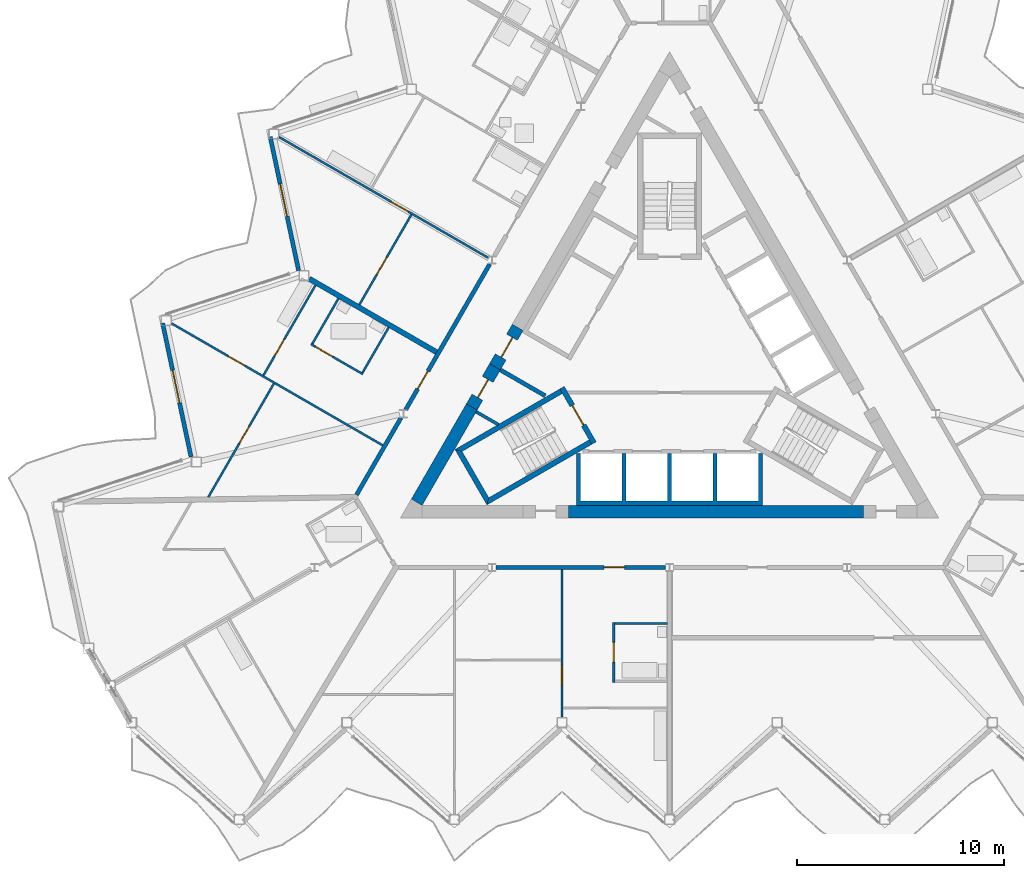
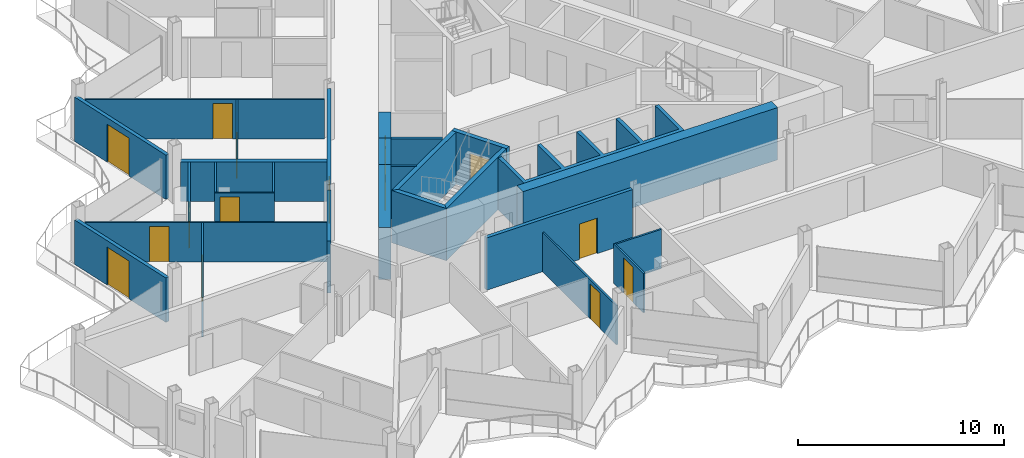
# One storey, part 13 of 26: 28 walls, 15 doors, 15 openings.
"""IFC4 building model written with IfcOpenShell, lengths in metres."""

from ifc_helpers import new_model, si_unit, direction, frame, frame_2d, origin, place, context, subcontext, project, spatial, polyline, rectangle, outline, extrude, material, layer, layer_set, type_object, element, fill, save


model = new_model("IFC4")

# Units and contexts
model_context = context("Model", 3, precision=1e-05, world=origin(), true_north=direction((0.0, 1.0)))
body_context = subcontext(model_context, "Body", "Model", "MODEL_VIEW")
ifc_project = project(units=[si_unit("LENGTHUNIT", "METRE"), si_unit("AREAUNIT", "SQUARE_METRE"), si_unit("VOLUMEUNIT", "CUBIC_METRE"), si_unit("PLANEANGLEUNIT", "RADIAN"), si_unit("MASSUNIT", "GRAM", prefix="KILO")], contexts=[model_context])

# Site, building, storey
site_placement = place(None, origin())
site = spatial("IfcSite", under=ifc_project, at=site_placement, CompositionType="ELEMENT")
building_placement = place(site_placement, origin())
building = spatial("IfcBuilding", under=site, at=building_placement, Name="Cormorant Prow Tower", CompositionType="ELEMENT")
storey_placement = place(building_placement, frame((0.0, 0.0, 381.39990234375)))
storey = spatial("IfcBuildingStorey", under=building, at=storey_placement, Name="L86", CompositionType="ELEMENT", Elevation=381.39990234375)

# Walls
ifc_material_1 = material(Name="Gypsum board partition")
ifc_layer_1 = layer(ifc_material_1, 0.14990234375)
ifc_layer_set_1 = layer_set([ifc_layer_1], Name="Gypsum board partition")
wall_type_1 = type_object("IfcWallType", Name="Core partition 150", PredefinedType="PARTITIONING", material=ifc_layer_set_1)
wall_1_placement = place(storey_placement, frame((-9.349609375, -2.3828125, 0.0), z_axis=(0.0, 0.0, 1.0), x_axis=(0.866057962423, -0.499943602543, 0.0)))
element("IfcWall", 1, at=wall_1_placement, inside=storey, type_object=wall_type_1, Name="Service room partition", PredefinedType="PARTITIONING", context=body_context, shape_type="SweptSolid", body=[
    extrude(rectangle(XDim=1.242431640625, YDim=0.14990234375, at=frame_2d((0.62109375, 0.0))), origin(), (0.0, 0.0, 1.0), 3.10009765625),
])
ifc_material_2 = material(Name="Concrete 8000 psi", Category="concrete")
ifc_layer_2 = layer(ifc_material_2, 0.60009765625)
ifc_layer_set_2 = layer_set([ifc_layer_2], Name="Concrete 8000 psi")
wall_type_2 = type_object("IfcWallType", Name="Core shear wall 600", PredefinedType="SHEAR", material=ifc_layer_set_2)
wall_2_placement = place(storey_placement, frame((-4.89208984375, -7.20556640625, 0.0), z_axis=(0.0, 0.0, 1.0), x_axis=(1.0, 0.0, 0.0)))
element("IfcWall", 2, at=wall_2_placement, inside=storey, type_object=wall_type_2, Name="Core wall", PredefinedType="SHEAR", context=body_context, shape_type="SweptSolid", body=[
    extrude(rectangle(XDim=14.2607421875, YDim=0.60009765625, at=frame_2d((7.13037109375, 0.0))), origin(), (0.0, 0.0, 1.0), 3.10009765625),
])
wall_3_placement = place(storey_placement, frame((-9.561767578125, -2.150390625, 0.0), z_axis=(0.0, 0.0, 1.0), x_axis=(-0.500015214976, -0.866016619236, 0.0)))
element("IfcWall", 3, at=wall_3_placement, inside=storey, type_object=wall_type_2, Name="Core wall", PredefinedType="SHEAR", context=body_context, shape_type="SweptSolid", body=[
    extrude(rectangle(XDim=5.317626953125, YDim=0.60009765625, at=frame_2d((2.65869140625, 0.0))), origin(), (0.0, 0.0, 1.0), 3.10009765625),
])

# Wall, opening, door
wall_4_placement = place(storey_placement, frame((-8.440185546875, -0.207763671875, 0.0), z_axis=(0.0, 0.0, 1.0), x_axis=(-0.500001951578, -0.866024277037, 0.0)))
wall_4 = element("IfcWall", 4, at=wall_4_placement, inside=storey, type_object=wall_type_2, Name="Core wall door panel", PredefinedType="SHEAR", context=body_context, shape_type="SweptSolid", body=[
    extrude(rectangle(XDim=2.2431640625, YDim=0.60009765625, at=frame_2d((1.12158203125, 0.0))), origin(), (0.0, 0.0, 1.0), 3.10009765625),
])
opening_1_placement = place(wall_4_placement, frame((0.699951171875, 0.0, 0.0)))
opening_1 = element("IfcOpeningElement", 5, at=opening_1_placement, cuts=wall_4, Name="Opening L86-C18", PredefinedType="OPENING", context=body_context, shape_type="SweptSolid", body=[
    extrude(rectangle(XDim=1.0, YDim=2.10009765625, at=frame_2d((0.5, 1.050048828125))), frame((0.0, 0.31005859375, 0.0), z_axis=(0.0, -1.0, 0.0), x_axis=(1.0, 0.0, 0.0)), (0.0, 0.0, 1.0), 0.6201171875),
])
ifc_material_3 = material(Name="Painted steel", Category="steel")
door_type_1 = type_object("IfcDoorType", Name="Service door 1000x2100", OperationType="NOTDEFINED", PredefinedType="DOOR", material=ifc_material_3)
door_1_placement = place(opening_1_placement, origin())
door_1 = element("IfcDoor", 6, at=door_1_placement, inside=storey, type_object=door_type_1, Name="Core door, Mechanical riser room", OperationType="SINGLE_SWING_RIGHT", OverallHeight=2.10009765625, OverallWidth=1.0, PredefinedType="DOOR", context=body_context, shape_type="SweptSolid", body=[
    extrude(rectangle(XDim=1.0, YDim=2.10009765625, at=frame_2d((0.5, 1.050048828125))), frame((0.0, 0.05517578125, 0.0), z_axis=(0.0, -1.0, 0.0), x_axis=(1.0, 0.0, 0.0)), (0.0, 0.0, 1.0), 0.050048828125),
])
fill(opening_1, door_1)

wall_5_placement = place(storey_placement, frame((-7.340087890625, 1.697509765625, 0.0), z_axis=(0.0, 0.0, 1.0), x_axis=(-0.50002983664, -0.866008176907, 0.0)))
wall_5 = element("IfcWall", 7, at=wall_5_placement, inside=storey, type_object=wall_type_2, Name="Core wall door panel", PredefinedType="SHEAR", context=body_context, shape_type="SweptSolid", body=[
    extrude(rectangle(XDim=2.199951171875, YDim=0.60009765625, at=frame_2d((1.10009765625, 0.0))), origin(), (0.0, 0.0, 1.0), 3.10009765625),
])
opening_2_placement = place(wall_5_placement, frame((0.550048828125, 0.0, 0.0)))
opening_2 = element("IfcOpeningElement", 8, at=opening_2_placement, cuts=wall_5, Name="Opening L86-C21", PredefinedType="OPENING", context=body_context, shape_type="SweptSolid", body=[
    extrude(rectangle(XDim=1.10009765625, YDim=2.10009765625, at=frame_2d((0.550048828125, 1.050048828125))), frame((0.0, 0.31005859375, 0.0), z_axis=(0.0, -1.0, 0.0), x_axis=(1.0, 0.0, 0.0)), (0.0, 0.0, 1.0), 0.6201171875),
])
ifc_material_4 = material(Name="Painted steel", Category="steel")
door_type_2 = type_object("IfcDoorType", Name="Core door 1100x2100", OperationType="NOTDEFINED", PredefinedType="DOOR", material=ifc_material_4)
door_2_placement = place(opening_2_placement, origin())
door_2 = element("IfcDoor", 9, at=door_2_placement, inside=storey, type_object=door_type_2, Name="Core door, lift lobby", OperationType="SINGLE_SWING_RIGHT", OverallHeight=2.10009765625, OverallWidth=1.10009765625, PredefinedType="DOOR", context=body_context, shape_type="SweptSolid", body=[
    extrude(rectangle(XDim=1.10009765625, YDim=2.10009765625, at=frame_2d((0.550048828125, 1.050048828125))), frame((0.0, 0.05517578125, 0.0), z_axis=(0.0, -1.0, 0.0), x_axis=(1.0, 0.0, 0.0)), (0.0, 0.0, 1.0), 0.050048828125),
])
fill(opening_2, door_2)

ifc_material_5 = material(Name="Gypsum board corridor wall")
ifc_layer_3 = layer(ifc_material_5, 0.199951171875)
ifc_layer_set_3 = layer_set([ifc_layer_3], Name="Gypsum board corridor wall")
wall_type_3 = type_object("IfcWallType", Name="Corridor wall 200", PredefinedType="PARTITIONING", material=ifc_layer_set_3)
wall_6_placement = place(storey_placement, frame((-8.381591796875, -9.905517578125, 0.0), z_axis=(0.0, 0.0, 1.0), x_axis=(1.0, 0.0, 0.0)))
wall_6 = element("IfcWall", 10, at=wall_6_placement, inside=storey, type_object=wall_type_3, Name="Corridor wall", PredefinedType="PARTITIONING", context=body_context, shape_type="SweptSolid", body=[
    extrude(rectangle(XDim=8.1845703125, YDim=0.199951171875, at=frame_2d((4.09228515625, 0.0))), origin(), (0.0, 0.0, 1.0), 3.10009765625),
])
opening_3_placement = place(wall_6_placement, frame((5.212646484375, 0.0, 0.0)))
opening_3 = element("IfcOpeningElement", 11, at=opening_3_placement, cuts=wall_6, Name="Opening L86-F01", PredefinedType="OPENING", context=body_context, shape_type="SweptSolid", body=[
    extrude(rectangle(XDim=1.0, YDim=2.10009765625, at=frame_2d((0.5, 1.050048828125))), frame((0.0, 0.10986328125, 0.0), z_axis=(0.0, -1.0, 0.0), x_axis=(1.0, 0.0, 0.0)), (0.0, 0.0, 1.0), 0.219970703125),
])
ifc_material_6 = material(Name="Timber door leaf", Category="wood")
door_type_3 = type_object("IfcDoorType", Name="Flat or room entrance door 1000x2100", OperationType="NOTDEFINED", PredefinedType="DOOR", material=ifc_material_6)
door_3_placement = place(opening_3_placement, origin())
door_3 = element("IfcDoor", 12, at=door_3_placement, inside=storey, type_object=door_type_3, Name="Living room door", OperationType="SINGLE_SWING_LEFT", OverallHeight=2.10009765625, OverallWidth=1.0, PredefinedType="DOOR", context=body_context, shape_type="SweptSolid", body=[
    extrude(rectangle(XDim=1.0, YDim=2.10009765625, at=frame_2d((0.5, 1.050048828125))), frame((0.0, 0.02490234375, 0.0), z_axis=(0.0, -1.0, 0.0), x_axis=(1.0, 0.0, 0.0)), (0.0, 0.0, 1.0), 0.050048828125),
])
fill(opening_3, door_3)

wall_7_placement = place(storey_placement, frame((-12.75390625, -2.279296875, 0.0), z_axis=(0.0, 0.0, 1.0), x_axis=(0.500001682468, 0.866024432409, 0.0)))
wall_7 = element("IfcWall", 13, at=wall_7_placement, inside=storey, type_object=wall_type_3, Name="Corridor wall", PredefinedType="PARTITIONING", context=body_context, shape_type="SweptSolid", body=[
    extrude(rectangle(XDim=8.12353515625, YDim=0.199951171875, at=frame_2d((4.061767578125, 0.0))), origin(), (0.0, 0.0, 1.0), 3.10009765625),
])
opening_4_placement = place(wall_7_placement, frame((1.1533203125, 0.0, 0.0)))
opening_4 = element("IfcOpeningElement", 14, at=opening_4_placement, cuts=wall_7, Name="Opening L86-F41", PredefinedType="OPENING", context=body_context, shape_type="SweptSolid", body=[
    extrude(rectangle(XDim=1.0, YDim=2.10009765625, at=frame_2d((0.5, 1.050048828125))), frame((0.0, 0.10986328125, 0.0), z_axis=(0.0, -1.0, 0.0), x_axis=(1.0, 0.0, 0.0)), (0.0, 0.0, 1.0), 0.219970703125),
])
door_4_placement = place(opening_4_placement, origin())
door_4 = element("IfcDoor", 15, at=door_4_placement, inside=storey, type_object=door_type_3, Name="Living room door", OperationType="SINGLE_SWING_RIGHT", OverallHeight=2.10009765625, OverallWidth=1.0, PredefinedType="DOOR", context=body_context, shape_type="SweptSolid", body=[
    extrude(rectangle(XDim=1.0, YDim=2.10009765625, at=frame_2d((0.5, 1.050048828125))), frame((0.0, 0.02490234375, 0.0), z_axis=(0.0, -1.0, 0.0), x_axis=(1.0, 0.0, 0.0)), (0.0, 0.0, 1.0), 0.050048828125),
])
fill(opening_4, door_4)

# Wall
wall_8_placement = place(storey_placement, frame((-15.13134765625, -6.397216796875, 0.0), z_axis=(0.0, 0.0, 1.0), x_axis=(0.499986217557, 0.866033360935, 0.0)))
element("IfcWall", 16, at=wall_8_placement, inside=storey, type_object=wall_type_3, Name="Corridor wall", PredefinedType="PARTITIONING", context=body_context, shape_type="SweptSolid", body=[
    extrude(rectangle(XDim=4.2998046875, YDim=0.199951171875, at=frame_2d((2.14990234375, 0.0))), origin(), (0.0, 0.0, 1.0), 3.10009765625),
])

# Wall, opening, door
ifc_material_7 = material(Name="Gypsum board partition")
ifc_layer_4 = layer(ifc_material_7, 0.10009765625)
ifc_layer_set_4 = layer_set([ifc_layer_4], Name="Gypsum board partition")
wall_type_4 = type_object("IfcWallType", Name="Internal partition 100", PredefinedType="PARTITIONING", material=ifc_layer_set_4)
wall_9_placement = place(storey_placement, frame((-24.068603515625, 1.88720703125, 0.0), z_axis=(0.0, 0.0, 1.0), x_axis=(0.866023404247, -0.500003463284, 0.0)))
wall_9 = element("IfcWall", 17, at=wall_9_placement, inside=storey, type_object=wall_type_4, Name="Internal partition", PredefinedType="PARTITIONING", context=body_context, shape_type="SweptSolid", body=[
    extrude(rectangle(XDim=11.7822265625, YDim=0.10009765625, at=frame_2d((5.89111328125, 0.0))), origin(), (0.0, 0.0, 1.0), 2.330078125),
])
opening_5_placement = place(wall_9_placement, frame((3.158935546875, 0.0, 0.0)))
opening_5 = element("IfcOpeningElement", 18, at=opening_5_placement, cuts=wall_9, Name="Opening L86-F44", PredefinedType="OPENING", context=body_context, shape_type="SweptSolid", body=[
    extrude(rectangle(XDim=0.949951171875, YDim=2.10009765625, at=frame_2d((0.47509765625, 1.050048828125))), frame((0.0, 0.06005859375, 0.0), z_axis=(0.0, -1.0, 0.0), x_axis=(1.0, 0.0, 0.0)), (0.0, 0.0, 1.0), 0.1201171875),
])
ifc_material_8 = material(Name="Timber door leaf", Category="wood")
door_type_4 = type_object("IfcDoorType", Name="Bathroom door 950x2100", OperationType="NOTDEFINED", PredefinedType="DOOR", material=ifc_material_8)
door_5_placement = place(opening_5_placement, origin())
door_5 = element("IfcDoor", 19, at=door_5_placement, inside=storey, type_object=door_type_4, Name="Kitchen door", OperationType="SINGLE_SWING_RIGHT", OverallHeight=2.10009765625, OverallWidth=0.949951171875, PredefinedType="DOOR", context=body_context, shape_type="SweptSolid", body=[
    extrude(rectangle(XDim=0.949951171875, YDim=2.10009765625, at=frame_2d((0.47509765625, 1.050048828125))), frame((0.0, 0.02490234375, 0.0), z_axis=(0.0, -1.0, 0.0), x_axis=(1.0, 0.0, 0.0)), (0.0, 0.0, 1.0), 0.050048828125),
])
fill(opening_5, door_5)

wall_10_placement = place(storey_placement, frame((-18.86865234375, 10.893798828125, 0.0), z_axis=(0.0, 0.0, 1.0), x_axis=(0.866023724155, -0.500002909193, 0.0)))
wall_10 = element("IfcWall", 20, at=wall_10_placement, inside=storey, type_object=wall_type_4, Name="Internal partition", PredefinedType="PARTITIONING", context=body_context, shape_type="SweptSolid", body=[
    extrude(rectangle(XDim=11.65478515625, YDim=0.10009765625, at=frame_2d((5.827392578125, 0.0))), origin(), (0.0, 0.0, 1.0), 2.330078125),
])
opening_6_placement = place(wall_10_placement, frame((6.252685546875, 0.0, 0.0)))
opening_6 = element("IfcOpeningElement", 21, at=opening_6_placement, cuts=wall_10, Name="Opening L86-F38", PredefinedType="OPENING", context=body_context, shape_type="SweptSolid", body=[
    extrude(rectangle(XDim=0.949951171875, YDim=2.10009765625, at=frame_2d((0.47509765625, 1.050048828125))), frame((0.0, 0.06005859375, 0.0), z_axis=(0.0, -1.0, 0.0), x_axis=(1.0, 0.0, 0.0)), (0.0, 0.0, 1.0), 0.1201171875),
])
door_6_placement = place(opening_6_placement, origin())
door_6 = element("IfcDoor", 22, at=door_6_placement, inside=storey, type_object=door_type_4, Name="Living room door", OperationType="SINGLE_SWING_RIGHT", OverallHeight=2.10009765625, OverallWidth=0.949951171875, PredefinedType="DOOR", context=body_context, shape_type="SweptSolid", body=[
    extrude(rectangle(XDim=0.949951171875, YDim=2.10009765625, at=frame_2d((0.47509765625, 1.050048828125))), frame((0.0, 0.02490234375, 0.0), z_axis=(0.0, -1.0, 0.0), x_axis=(1.0, 0.0, 0.0)), (0.0, 0.0, 1.0), 0.050048828125),
])
fill(opening_6, door_6)

wall_11_placement = place(storey_placement, frame((-5.199951171875, -17.145751953125, 0.0), z_axis=(0.0, 0.0, 1.0), x_axis=(0.0, 1.0, 0.0)))
wall_11 = element("IfcWall", 23, at=wall_11_placement, inside=storey, type_object=wall_type_4, Name="Internal partition", PredefinedType="PARTITIONING", context=body_context, shape_type="SweptSolid", body=[
    extrude(rectangle(XDim=7.14013671875, YDim=0.10009765625, at=frame_2d((3.570068359375, 0.0))), origin(), (0.0, 0.0, 1.0), 2.330078125),
])
opening_7_placement = place(wall_11_placement, frame((1.571044921875, 0.0, 0.0)))
opening_7 = element("IfcOpeningElement", 24, at=opening_7_placement, cuts=wall_11, Name="Opening L86-F04", PredefinedType="OPENING", context=body_context, shape_type="SweptSolid", body=[
    extrude(rectangle(XDim=0.949951171875, YDim=2.10009765625, at=frame_2d((0.47509765625, 1.050048828125))), frame((0.0, 0.06005859375, 0.0), z_axis=(0.0, -1.0, 0.0), x_axis=(1.0, 0.0, 0.0)), (0.0, 0.0, 1.0), 0.1201171875),
])
door_7_placement = place(opening_7_placement, origin())
door_7 = element("IfcDoor", 25, at=door_7_placement, inside=storey, type_object=door_type_4, Name="Living room door", OperationType="SINGLE_SWING_RIGHT", OverallHeight=2.10009765625, OverallWidth=0.949951171875, PredefinedType="DOOR", context=body_context, shape_type="SweptSolid", body=[
    extrude(rectangle(XDim=0.949951171875, YDim=2.10009765625, at=frame_2d((0.47509765625, 1.050048828125))), frame((0.0, 0.02490234375, 0.0), z_axis=(0.0, -1.0, 0.0), x_axis=(1.0, 0.0, 0.0)), (0.0, 0.0, 1.0), 0.050048828125),
])
fill(opening_7, door_7)

wall_12_placement = place(storey_placement, frame((-22.2978515625, -6.512451171875, 0.0), z_axis=(0.0, 0.0, 1.0), x_axis=(0.499991387631, 0.866030376081, 0.0)))
wall_12 = element("IfcWall", 26, at=wall_12_placement, inside=storey, type_object=wall_type_4, Name="Internal partition", PredefinedType="PARTITIONING", context=body_context, shape_type="SweptSolid", body=[
    extrude(rectangle(XDim=6.3388671875, YDim=0.10009765625, at=frame_2d((3.16943359375, 0.0))), origin(), (0.0, 0.0, 1.0), 2.330078125),
])
opening_8_placement = place(wall_12_placement, frame((3.0, 0.0, 0.0)))
opening_8 = element("IfcOpeningElement", 27, at=opening_8_placement, cuts=wall_12, Name="Opening L86-F45", PredefinedType="OPENING", context=body_context, shape_type="SweptSolid", body=[
    extrude(rectangle(XDim=0.949951171875, YDim=2.10009765625, at=frame_2d((0.47509765625, 1.050048828125))), frame((0.0, 0.06005859375, 0.0), z_axis=(0.0, -1.0, 0.0), x_axis=(1.0, 0.0, 0.0)), (0.0, 0.0, 1.0), 0.1201171875),
])
door_8_placement = place(opening_8_placement, origin())
door_8 = element("IfcDoor", 28, at=door_8_placement, inside=storey, type_object=door_type_4, Name="Bedroom door", OperationType="SINGLE_SWING_LEFT", OverallHeight=2.10009765625, OverallWidth=0.949951171875, PredefinedType="DOOR", context=body_context, shape_type="SweptSolid", body=[
    extrude(rectangle(XDim=0.949951171875, YDim=2.10009765625, at=frame_2d((0.47509765625, 1.050048828125))), frame((0.0, 0.02490234375, 0.0), z_axis=(0.0, -1.0, 0.0), x_axis=(1.0, 0.0, 0.0)), (0.0, 0.0, 1.0), 0.050048828125),
])
fill(opening_8, door_8)

wall_13_placement = place(storey_placement, frame((-19.628173828125, -0.618896484375, 0.0), z_axis=(0.0, 0.0, 1.0), x_axis=(0.499990214365, 0.86603105345, 0.0)))
wall_13 = element("IfcWall", 29, at=wall_13_placement, inside=storey, type_object=wall_type_4, Name="Internal partition", PredefinedType="PARTITIONING", context=body_context, shape_type="SweptSolid", body=[
    extrude(rectangle(XDim=5.02490234375, YDim=0.10009765625, at=frame_2d((2.512451171875, 0.0))), origin(), (0.0, 0.0, 1.0), 2.330078125),
])
opening_9_placement = place(wall_13_placement, frame((1.067138671875, 0.0, 0.0)))
opening_9 = element("IfcOpeningElement", 30, at=opening_9_placement, cuts=wall_13, Name="Opening L86-F43", PredefinedType="OPENING", context=body_context, shape_type="SweptSolid", body=[
    extrude(rectangle(XDim=0.949951171875, YDim=2.10009765625, at=frame_2d((0.47509765625, 1.050048828125))), frame((0.0, 0.06005859375, 0.0), z_axis=(0.0, -1.0, 0.0), x_axis=(1.0, 0.0, 0.0)), (0.0, 0.0, 1.0), 0.1201171875),
])
door_9_placement = place(opening_9_placement, origin())
door_9 = element("IfcDoor", 31, at=door_9_placement, inside=storey, type_object=door_type_4, Name="Living room door", OperationType="SINGLE_SWING_LEFT", OverallHeight=2.10009765625, OverallWidth=0.949951171875, PredefinedType="DOOR", context=body_context, shape_type="SweptSolid", body=[
    extrude(rectangle(XDim=0.949951171875, YDim=2.10009765625, at=frame_2d((0.47509765625, 1.050048828125))), frame((0.0, 0.02490234375, 0.0), z_axis=(0.0, -1.0, 0.0), x_axis=(1.0, 0.0, 0.0)), (0.0, 0.0, 1.0), 0.050048828125),
])
fill(opening_9, door_9)

wall_14_placement = place(storey_placement, frame((-14.9921875, 2.795654296875, 0.0), z_axis=(0.0, 0.0, 1.0), x_axis=(0.499990214365, 0.86603105345, 0.0)))
wall_14 = element("IfcWall", 32, at=wall_14_placement, inside=storey, type_object=wall_type_4, Name="Internal partition", PredefinedType="PARTITIONING", context=body_context, shape_type="SweptSolid", body=[
    extrude(rectangle(XDim=5.02490234375, YDim=0.10009765625, at=frame_2d((2.512451171875, 0.0))), origin(), (0.0, 0.0, 1.0), 2.330078125),
])
opening_10_placement = place(wall_14_placement, frame((1.679931640625, 0.0, 0.0)))
opening_10 = element("IfcOpeningElement", 33, at=opening_10_placement, cuts=wall_14, Name="Opening L86-F39", PredefinedType="OPENING", context=body_context, shape_type="SweptSolid", body=[
    extrude(rectangle(XDim=0.949951171875, YDim=2.10009765625, at=frame_2d((0.47509765625, 1.050048828125))), frame((0.0, 0.06005859375, 0.0), z_axis=(0.0, -1.0, 0.0), x_axis=(1.0, 0.0, 0.0)), (0.0, 0.0, 1.0), 0.1201171875),
])
door_10_placement = place(opening_10_placement, origin())
door_10 = element("IfcDoor", 34, at=door_10_placement, inside=storey, type_object=door_type_4, Name="Bedroom door", OperationType="SINGLE_SWING_LEFT", OverallHeight=2.10009765625, OverallWidth=0.949951171875, PredefinedType="DOOR", context=body_context, shape_type="SweptSolid", body=[
    extrude(rectangle(XDim=0.949951171875, YDim=2.10009765625, at=frame_2d((0.47509765625, 1.050048828125))), frame((0.0, 0.02490234375, 0.0), z_axis=(0.0, -1.0, 0.0), x_axis=(1.0, 0.0, 0.0)), (0.0, 0.0, 1.0), 0.050048828125),
])
fill(opening_10, door_10)

wall_15_placement = place(storey_placement, frame((-17.3349609375, 0.88623046875, 0.0), z_axis=(0.0, 0.0, 1.0), x_axis=(0.866032775405, -0.499987231761, 0.0)))
wall_15 = element("IfcWall", 35, at=wall_15_placement, inside=storey, type_object=wall_type_4, Name="Internal partition", PredefinedType="PARTITIONING", context=body_context, shape_type="SweptSolid", body=[
    extrude(rectangle(XDim=2.89990234375, YDim=0.10009765625, at=frame_2d((1.449951171875, 0.0))), origin(), (0.0, 0.0, 1.0), 2.330078125),
])
opening_11_placement = place(wall_15_placement, frame((0.25, 0.0, 0.0)))
opening_11 = element("IfcOpeningElement", 36, at=opening_11_placement, cuts=wall_15, Name="Opening L86-F42", PredefinedType="OPENING", context=body_context, shape_type="SweptSolid", body=[
    extrude(rectangle(XDim=0.949951171875, YDim=2.10009765625, at=frame_2d((0.47509765625, 1.050048828125))), frame((0.0, 0.06005859375, 0.0), z_axis=(0.0, -1.0, 0.0), x_axis=(1.0, 0.0, 0.0)), (0.0, 0.0, 1.0), 0.1201171875),
])
door_11_placement = place(opening_11_placement, origin())
door_11 = element("IfcDoor", 37, at=door_11_placement, inside=storey, type_object=door_type_4, Name="Living room door", OperationType="SINGLE_SWING_LEFT", OverallHeight=2.10009765625, OverallWidth=0.949951171875, PredefinedType="DOOR", context=body_context, shape_type="SweptSolid", body=[
    extrude(rectangle(XDim=0.949951171875, YDim=2.10009765625, at=frame_2d((0.47509765625, 1.050048828125))), frame((0.0, 0.02490234375, 0.0), z_axis=(0.0, -1.0, 0.0), x_axis=(1.0, 0.0, 0.0)), (0.0, 0.0, 1.0), 0.050048828125),
])
fill(opening_11, door_11)

wall_16_placement = place(storey_placement, frame((-2.699951171875, -15.45556640625, 0.0), z_axis=(0.0, 0.0, 1.0), x_axis=(0.0, 1.0, 0.0)))
wall_16 = element("IfcWall", 38, at=wall_16_placement, inside=storey, type_object=wall_type_4, Name="Internal partition", PredefinedType="PARTITIONING", context=body_context, shape_type="SweptSolid", body=[
    extrude(rectangle(XDim=2.89990234375, YDim=0.10009765625, at=frame_2d((1.449951171875, 0.0))), origin(), (0.0, 0.0, 1.0), 2.330078125),
])
opening_12_placement = place(wall_16_placement, frame((0.97509765625, 0.0, 0.0)))
opening_12 = element("IfcOpeningElement", 39, at=opening_12_placement, cuts=wall_16, Name="Opening L86-F02", PredefinedType="OPENING", context=body_context, shape_type="SweptSolid", body=[
    extrude(rectangle(XDim=0.949951171875, YDim=2.10009765625, at=frame_2d((0.47509765625, 1.050048828125))), frame((0.0, 0.06005859375, 0.0), z_axis=(0.0, -1.0, 0.0), x_axis=(1.0, 0.0, 0.0)), (0.0, 0.0, 1.0), 0.1201171875),
])
door_12_placement = place(opening_12_placement, origin())
door_12 = element("IfcDoor", 40, at=door_12_placement, inside=storey, type_object=door_type_4, Name="Living room door", OperationType="SINGLE_SWING_LEFT", OverallHeight=2.10009765625, OverallWidth=0.949951171875, PredefinedType="DOOR", context=body_context, shape_type="SweptSolid", body=[
    extrude(rectangle(XDim=0.949951171875, YDim=2.10009765625, at=frame_2d((0.47509765625, 1.050048828125))), frame((0.0, 0.02490234375, 0.0), z_axis=(0.0, -1.0, 0.0), x_axis=(1.0, 0.0, 0.0)), (0.0, 0.0, 1.0), 0.050048828125),
])
fill(opening_12, door_12)

# Walls
wall_17_placement = place(storey_placement, frame((-2.64990234375, -12.605712890625, 0.0), z_axis=(0.0, 0.0, 1.0), x_axis=(1.0, 0.0, 0.0)))
element("IfcWall", 41, at=wall_17_placement, inside=storey, type_object=wall_type_4, Name="Internal partition", PredefinedType="PARTITIONING", context=body_context, shape_type="SweptSolid", body=[
    extrude(rectangle(XDim=2.5498046875, YDim=0.10009765625, at=frame_2d((1.27490234375, 0.0))), origin(), (0.0, 0.0, 1.0), 2.330078125),
])
wall_18_placement = place(storey_placement, frame((-17.2666015625, 0.904541015625, 0.0), z_axis=(0.0, 0.0, 1.0), x_axis=(0.499976333282, 0.866039067339, 0.0)))
element("IfcWall", 42, at=wall_18_placement, inside=storey, type_object=wall_type_4, Name="Internal partition", PredefinedType="PARTITIONING", context=body_context, shape_type="SweptSolid", body=[
    extrude(rectangle(XDim=2.52490234375, YDim=0.10009765625, at=frame_2d((1.262451171875, 0.0))), origin(), (0.0, 0.0, 1.0), 2.330078125),
])
wall_19_placement = place(storey_placement, frame((-14.841796875, -0.49560546875, 0.0), z_axis=(0.0, 0.0, 1.0), x_axis=(0.500048846702, 0.865997200291, 0.0)))
element("IfcWall", 43, at=wall_19_placement, inside=storey, type_object=wall_type_4, Name="Internal partition", PredefinedType="PARTITIONING", context=body_context, shape_type="SweptSolid", body=[
    extrude(rectangle(XDim=2.525146484375, YDim=0.10009765625, at=frame_2d((1.2626953125, 0.0))), origin(), (0.0, 0.0, 1.0), 2.330078125),
])
ifc_material_9 = material(Name="Concrete 8000 psi", Category="concrete")
ifc_layer_5 = layer(ifc_material_9, 0.199951171875)
ifc_layer_set_5 = layer_set([ifc_layer_5], Name="Concrete 8000 psi")
wall_type_5 = type_object("IfcWallType", Name="Lift shaft wall 200", PredefinedType="SHEAR", material=ifc_layer_set_5)
wall_20_placement = place(storey_placement, origin())
element("IfcWall", 44, at=wall_20_placement, inside=storey, type_object=wall_type_5, Name="Lift shaft walls, S block", PredefinedType="SHEAR", context=body_context, shape_type="SweptSolid", body=[
    extrude(outline(polyline([(4.5, -4.39990234375), (4.5, -6.906005859375), (-4.5, -6.906005859375), (-4.5, -4.39990234375), (-4.300048828125, -4.39990234375), (-4.300048828125, -6.699951171875), (-2.300048828125, -6.699951171875), (-2.300048828125, -4.39990234375), (-2.10009765625, -4.39990234375), (-2.10009765625, -6.699951171875), (-0.10009765625, -6.699951171875), (-0.10009765625, -4.39990234375), (0.10009765625, -4.39990234375), (0.10009765625, -6.699951171875), (2.10009765625, -6.699951171875), (2.10009765625, -4.39990234375), (2.300048828125, -4.39990234375), (2.300048828125, -6.699951171875), (4.300048828125, -6.699951171875), (4.300048828125, -4.39990234375), (4.5, -4.39990234375)])), origin(), (0.0, 0.0, 1.0), 3.10009765625),
])
wall_21_placement = place(storey_placement, origin())
element("IfcWall", 45, at=wall_21_placement, inside=storey, type_object=wall_type_5, Name="Lift shaft walls, WNW block", PredefinedType="SHEAR", context=body_context, shape_type="SweptSolid", body=[
    extrude(outline(polyline([(-6.060546875, -1.697021484375), (-8.230712890625, -0.444091796875), (-8.130859375, -0.27099609375), (-5.96044921875, -1.52392578125), (-6.060546875, -1.697021484375)])), origin(), (0.0, 0.0, 1.0), 3.10009765625),
])
ifc_material_10 = material(Name="Concrete 8000 psi", Category="concrete")
ifc_layer_6 = layer(ifc_material_10, 0.25)
ifc_layer_set_6 = layer_set([ifc_layer_6], Name="Concrete 8000 psi")
wall_type_6 = type_object("IfcWallType", Name="Stair wall 250", PredefinedType="SHEAR", material=ifc_layer_set_6)
wall_22_placement = place(storey_placement, origin())
element("IfcWall", 46, at=wall_22_placement, inside=storey, type_object=wall_type_6, Name="Stair ST1 enclosure wall (flank)", PredefinedType="SHEAR", context=body_context, shape_type="SweptSolid", body=[
    extrude(outline(polyline([(-5.30712890625, -1.28125), (-10.37353515625, -4.206298828125), (-10.031982421875, -4.2978515625), (-5.18212890625, -1.497802734375), (-5.30712890625, -1.28125)])), origin(), (0.0, 0.0, 1.0), 3.10009765625),
])
wall_23_placement = place(storey_placement, origin())
element("IfcWall", 47, at=wall_23_placement, inside=storey, type_object=wall_type_6, Name="Stair ST1 enclosure wall (end)", PredefinedType="SHEAR", context=body_context, shape_type="SweptSolid", body=[
    extrude(outline(polyline([(-10.37353515625, -4.206298828125), (-8.82958984375, -6.880615234375), (-8.738037109375, -6.5390625), (-10.031982421875, -4.2978515625), (-10.37353515625, -4.206298828125)])), origin(), (0.0, 0.0, 1.0), 3.10009765625),
])
wall_24_placement = place(storey_placement, origin())
element("IfcWall", 48, at=wall_24_placement, inside=storey, type_object=wall_type_6, Name="Stair ST1 enclosure wall (flank)", PredefinedType="SHEAR", context=body_context, shape_type="SweptSolid", body=[
    extrude(outline(polyline([(-8.738037109375, -6.5390625), (-8.82958984375, -6.880615234375), (-3.76318359375, -3.95556640625), (-3.88818359375, -3.739013671875), (-8.738037109375, -6.5390625)])), origin(), (0.0, 0.0, 1.0), 3.10009765625),
])

# Wall, opening, door
wall_25_placement = place(storey_placement, frame((-5.198974609375, -1.21875, 0.0), z_axis=(0.0, 0.0, 1.0), x_axis=(0.499982516597, -0.866035497597, 0.0)))
wall_25 = element("IfcWall", 49, at=wall_25_placement, inside=storey, type_object=wall_type_6, Name="Stair ST1 door wall", PredefinedType="SHEAR", context=body_context, shape_type="SweptSolid", body=[
    extrude(rectangle(XDim=3.087890625, YDim=0.25, at=frame_2d((1.5439453125, 0.0))), origin(), (0.0, 0.0, 1.0), 3.10009765625),
])
opening_13_placement = place(wall_25_placement, frame((0.993896484375, 0.0, 0.0)))
opening_13 = element("IfcOpeningElement", 50, at=opening_13_placement, cuts=wall_25, Name="Opening L86-C12", PredefinedType="OPENING", context=body_context, shape_type="SweptSolid", body=[
    extrude(rectangle(XDim=1.10009765625, YDim=2.10009765625, at=frame_2d((0.550048828125, 1.050048828125))), frame((0.0, 0.135009765625, 0.0), z_axis=(0.0, -1.0, 0.0), x_axis=(1.0, 0.0, 0.0)), (0.0, 0.0, 1.0), 0.27001953125),
])
ifc_material_11 = material(Name="Painted steel", Category="steel")
door_type_5 = type_object("IfcDoorType", Name="Stair door 1100x2100", OperationType="NOTDEFINED", PredefinedType="DOOR", material=ifc_material_11)
door_13_placement = place(opening_13_placement, origin())
door_13 = element("IfcDoor", 51, at=door_13_placement, inside=storey, type_object=door_type_5, Name="Stair ST1 door", OperationType="SINGLE_SWING_LEFT", OverallHeight=2.10009765625, OverallWidth=1.10009765625, PredefinedType="DOOR", context=body_context, shape_type="SweptSolid", body=[
    extrude(rectangle(XDim=1.10009765625, YDim=2.10009765625, at=frame_2d((0.550048828125, 1.050048828125))), frame((0.0, 0.02490234375, 0.0), z_axis=(0.0, -1.0, 0.0), x_axis=(1.0, 0.0, 0.0)), (0.0, 0.0, 1.0), 0.050048828125),
])
fill(opening_13, door_13)

# Wall
ifc_material_12 = material(Name="Acoustic gypsum party wall")
ifc_layer_7 = layer(ifc_material_12, 0.25)
ifc_layer_set_7 = layer_set([ifc_layer_7], Name="Acoustic gypsum party wall")
wall_type_7 = type_object("IfcWallType", Name="Suite party wall 250", PredefinedType="PARTITIONING", material=ifc_layer_set_7)
wall_26_placement = place(storey_placement, frame((-17.413818359375, 4.04931640625, 0.0), z_axis=(0.0, 0.0, 1.0), x_axis=(0.866033839264, -0.499985389037, 0.0)))
element("IfcWall", 52, at=wall_26_placement, inside=storey, type_object=wall_type_7, Name="Suite party wall", PredefinedType="PARTITIONING", context=body_context, shape_type="SweptSolid", body=[
    extrude(rectangle(XDim=7.099853515625, YDim=0.25, at=frame_2d((3.5498046875, 0.0))), origin(), (0.0, 0.0, 1.0), 2.330078125),
])

# Wall, opening, door
ifc_material_13 = material(Name="Terracotta", Category="masonry")
ifc_layer_8 = layer(ifc_material_13, 0.199951171875)
ifc_layer_set_8 = layer_set([ifc_layer_8], Name="Terracotta")
wall_type_8 = type_object("IfcWallType", Name="Terracotta jamb wall 200", PredefinedType="SOLIDWALL", material=ifc_layer_set_8)
wall_27_placement = place(storey_placement, frame((-19.304443359375, 10.90869140625, 0.0), z_axis=(0.0, 0.0, 1.0), x_axis=(0.207882161022, -0.97815387702, 0.0)))
wall_27 = element("IfcWall", 53, at=wall_27_placement, inside=storey, type_object=wall_type_8, Name="Terracotta jamb wall WNW05", PredefinedType="SOLIDWALL", context=body_context, shape_type="SweptSolid", body=[
    extrude(rectangle(XDim=6.612060546875, YDim=0.199951171875, at=frame_2d((3.30615234375, 0.0))), origin(), (0.0, 0.0, 1.0), 2.634033203125),
])
opening_14_placement = place(wall_27_placement, frame((2.332763671875, 0.0, 0.0)))
opening_14 = element("IfcOpeningElement", 54, at=opening_14_placement, cuts=wall_27, Name="Opening ED86.13", PredefinedType="OPENING", context=body_context, shape_type="SweptSolid", body=[
    extrude(rectangle(XDim=1.60009765625, YDim=2.25, at=frame_2d((0.800048828125, 1.125))), frame((0.0, 0.10986328125, 0.0), z_axis=(0.0, -1.0, 0.0), x_axis=(1.0, 0.0, 0.0)), (0.0, 0.0, 1.0), 0.219970703125),
])
ifc_material_14 = material(Name="Aluminium 6063-T6", Category="aluminium")
door_type_6 = type_object("IfcDoorType", Name="Balcony door 1600x2250", OperationType="DOUBLE_DOOR_SINGLE_SWING", PredefinedType="DOOR", material=ifc_material_14)
door_14_placement = place(opening_14_placement, origin())
door_14 = element("IfcDoor", 55, at=door_14_placement, inside=storey, type_object=door_type_6, Name="Balcony door WNW05 ED86.13", OperationType="DOUBLE_DOOR_SINGLE_SWING", OverallHeight=2.25, OverallWidth=1.60009765625, PredefinedType="DOOR", context=body_context, shape_type="SweptSolid", body=[
    extrude(rectangle(XDim=1.60009765625, YDim=2.25, at=frame_2d((0.800048828125, 1.125))), frame((0.0, 0.02490234375, 0.0), z_axis=(0.0, -1.0, 0.0), x_axis=(1.0, 0.0, 0.0)), (0.0, 0.0, 1.0), 0.050048828125),
])
fill(opening_14, door_14)

wall_28_placement = place(storey_placement, frame((-24.504638671875, 1.902099609375, 0.0), z_axis=(0.0, 0.0, 1.0), x_axis=(0.207917488951, -0.978146368285, 0.0)))
wall_28 = element("IfcWall", 56, at=wall_28_placement, inside=storey, type_object=wall_type_8, Name="Terracotta jamb wall WNW07", PredefinedType="SOLIDWALL", context=body_context, shape_type="SweptSolid", body=[
    extrude(rectangle(XDim=6.612060546875, YDim=0.199951171875, at=frame_2d((3.30615234375, 0.0))), origin(), (0.0, 0.0, 1.0), 2.634033203125),
])
opening_15_placement = place(wall_28_placement, frame((2.332763671875, 0.0, 0.0)))
opening_15 = element("IfcOpeningElement", 57, at=opening_15_placement, cuts=wall_28, Name="Opening ED86.14", PredefinedType="OPENING", context=body_context, shape_type="SweptSolid", body=[
    extrude(rectangle(XDim=1.60009765625, YDim=2.25, at=frame_2d((0.800048828125, 1.125))), frame((0.0, 0.10986328125, 0.0), z_axis=(0.0, -1.0, 0.0), x_axis=(1.0, 0.0, 0.0)), (0.0, 0.0, 1.0), 0.219970703125),
])
door_15_placement = place(opening_15_placement, origin())
door_15 = element("IfcDoor", 58, at=door_15_placement, inside=storey, type_object=door_type_6, Name="Balcony door WNW07 ED86.14", OperationType="DOUBLE_DOOR_SINGLE_SWING", OverallHeight=2.25, OverallWidth=1.60009765625, PredefinedType="DOOR", context=body_context, shape_type="SweptSolid", body=[
    extrude(rectangle(XDim=1.60009765625, YDim=2.25, at=frame_2d((0.800048828125, 1.125))), frame((0.0, 0.02490234375, 0.0), z_axis=(0.0, -1.0, 0.0), x_axis=(1.0, 0.0, 0.0)), (0.0, 0.0, 1.0), 0.050048828125),
])
fill(opening_15, door_15)

save(model, "model.ifc")
